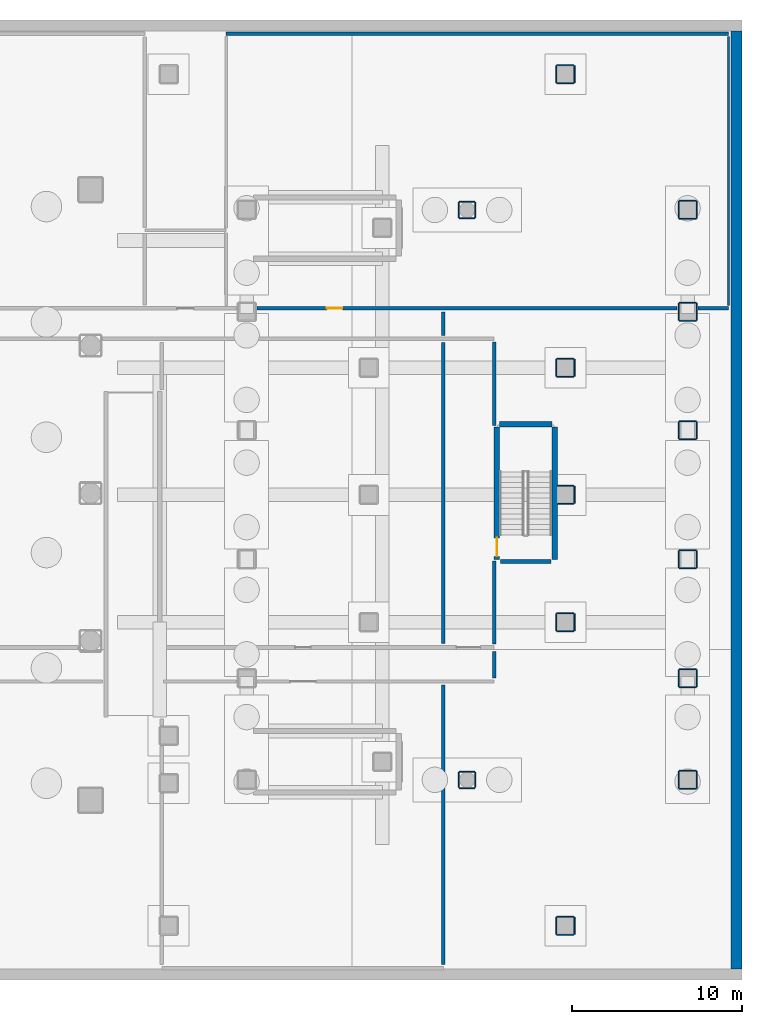
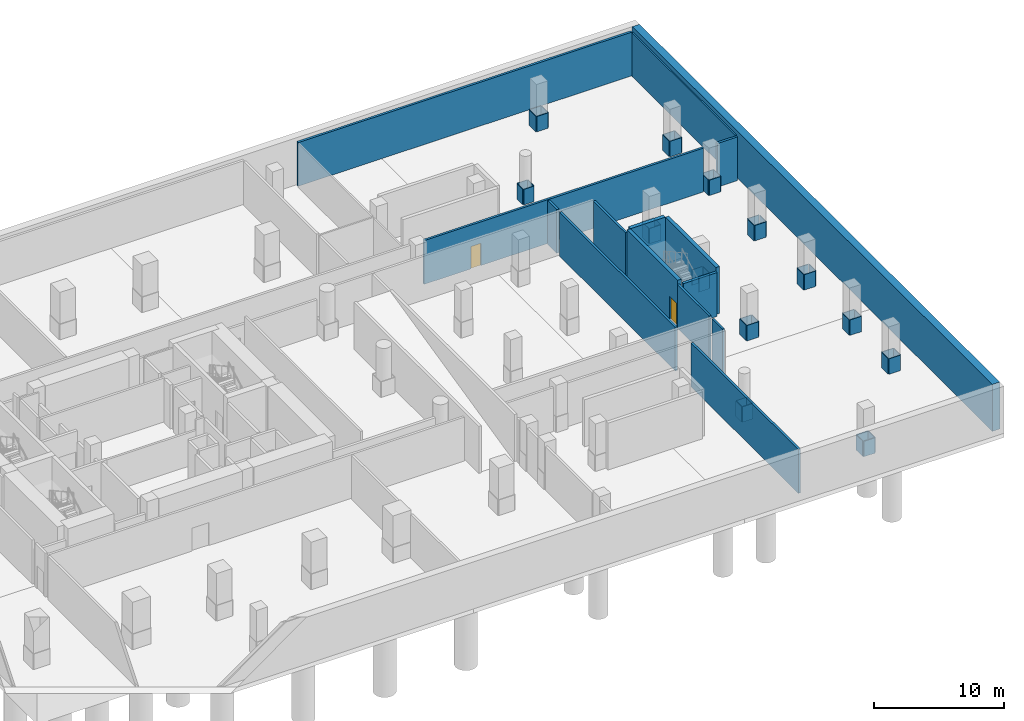
# One storey, part 9 of 13: 66 walls, 2 doors, 2 openings.
"""IFC4 building model written with IfcOpenShell, lengths in metres."""

from ifc_helpers import new_model, si_unit, direction, frame, frame_2d, origin, place, context, subcontext, project, spatial, rectangle, extrude, material, layer, layer_set, type_object, element, fill, save


model = new_model("IFC4")

# Units and contexts
model_context = context("Model", 3, precision=1e-05, world=origin(), true_north=direction((0.0, 1.0)))
body_context = subcontext(model_context, "Body", "Model", "MODEL_VIEW")
ifc_project = project(units=[si_unit("LENGTHUNIT", "METRE"), si_unit("AREAUNIT", "SQUARE_METRE"), si_unit("VOLUMEUNIT", "CUBIC_METRE"), si_unit("PLANEANGLEUNIT", "RADIAN"), si_unit("MASSUNIT", "GRAM", prefix="KILO")], contexts=[model_context])

# Site, building, storey
site_placement = place(None, origin())
site = spatial("IfcSite", under=ifc_project, at=site_placement, CompositionType="ELEMENT")
building_placement = place(site_placement, origin())
building = spatial("IfcBuilding", under=site, at=building_placement, Name="Solanera Arch Residences", CompositionType="ELEMENT")
storey_placement = place(building_placement, frame((0.0, 0.0, -13.199951171875)))
storey = spatial("IfcBuildingStorey", under=building, at=storey_placement, Name="B03", CompositionType="ELEMENT", Elevation=-13.199951171875)

# Walls
ifc_material_1 = material(Name="Fire-Rated Gypsum Stud Partition", Category="gypsum")
ifc_layer_1 = layer(ifc_material_1, 0.06005859375)
ifc_layer_set_1 = layer_set([ifc_layer_1], Name="Fire-Rated Gypsum Stud Partition")
wall_type_1 = type_object("IfcWallType", Name="Column Acoustic Furring Wall 60", PredefinedType="PARTITIONING", material=ifc_layer_set_1)
for number, where, z_axis, x_axis, name in (
    (1, (74.10009765625, 22.568115234375, 0.0), (0.0, 0.0, 1.0), (1.0, 0.0, 0.0), "B03 Column Furring 28S"),
    (2, (74.10009765625, 23.632080078125, 0.0), (0.0, 0.0, 1.0), (1.0, 0.0, 0.0), "B03 Column Furring 28N"),
    (3, (74.068115234375, 22.60009765625, 0.0), (0.0, 0.0, 1.0), (0.0, 1.0, 0.0), "B03 Column Furring 28W"),
    (4, (75.132080078125, 22.60009765625, 0.0), (0.0, 0.0, 1.0), (0.0, 1.0, 0.0), "B03 Column Furring 28E"),
):
    element("IfcWall", number, at=place(storey_placement, frame(where, z_axis=z_axis, x_axis=x_axis)), inside=storey, type_object=wall_type_1, Name=name, PredefinedType="PARTITIONING", context=body_context, shape_type="SweptSolid", body=[
        extrude(rectangle(XDim=1.0, YDim=0.06005859375, at=frame_2d((0.5, 0.0))), origin(), (0.0, 0.0, 1.0), 1.449951171875),
    ])
for number, where, z_axis, x_axis, name in (
    (5, (74.135009765625, 30.068115234375, 0.0), (0.0, 0.0, 1.0), (1.0, 0.0, 0.0), "B03 Column Furring 30S"),
    (6, (74.135009765625, 31.132080078125, 0.0), (0.0, 0.0, 1.0), (1.0, 0.0, 0.0), "B03 Column Furring 30N"),
):
    element("IfcWall", number, at=place(storey_placement, frame(where, z_axis=z_axis, x_axis=x_axis)), inside=storey, type_object=wall_type_1, Name=name, PredefinedType="PARTITIONING", context=body_context, shape_type="SweptSolid", body=[
        extrude(rectangle(XDim=0.965087890625, YDim=0.06005859375, at=frame_2d((0.482421875, 0.0))), origin(), (0.0, 0.0, 1.0), 1.449951171875),
    ])
for number, where, z_axis, x_axis, name in (
    (7, (75.132080078125, 30.10009765625, 0.0), (0.0, 0.0, 1.0), (0.0, 1.0, 0.0), "B03 Column Furring 30E"),
    (8, (74.10009765625, 37.568115234375, 0.0), (0.0, 0.0, 1.0), (1.0, 0.0, 0.0), "B03 Column Furring 32S"),
    (9, (74.10009765625, 38.632080078125, 0.0), (0.0, 0.0, 1.0), (1.0, 0.0, 0.0), "B03 Column Furring 32N"),
    (10, (74.068115234375, 37.60009765625, 0.0), (0.0, 0.0, 1.0), (0.0, 1.0, 0.0), "B03 Column Furring 32W"),
    (11, (75.132080078125, 37.60009765625, 0.0), (0.0, 0.0, 1.0), (0.0, 1.0, 0.0), "B03 Column Furring 32E"),
    (12, (74.10009765625, 4.66796875, 0.0), (0.0, 0.0, 1.0), (1.0, 0.0, 0.0), "B03 Column Furring 37S"),
    (13, (74.10009765625, 5.73193359375, 0.0), (0.0, 0.0, 1.0), (1.0, 0.0, 0.0), "B03 Column Furring 37N"),
    (14, (74.068115234375, 4.699951171875, 0.0), (0.0, 0.0, 1.0), (0.0, 1.0, 0.0), "B03 Column Furring 37W"),
    (15, (75.132080078125, 4.699951171875, 0.0), (0.0, 0.0, 1.0), (0.0, 1.0, 0.0), "B03 Column Furring 37E"),
    (16, (74.10009765625, 54.867919921875, 0.0), (0.0, 0.0, 1.0), (1.0, 0.0, 0.0), "B03 Column Furring 40S"),
    (17, (74.10009765625, 55.931884765625, 0.0), (0.0, 0.0, 1.0), (1.0, 0.0, 0.0), "B03 Column Furring 40N"),
    (18, (74.068115234375, 54.89990234375, 0.0), (0.0, 0.0, 1.0), (0.0, 1.0, 0.0), "B03 Column Furring 40W"),
    (19, (75.132080078125, 54.89990234375, 0.0), (0.0, 0.0, 1.0), (0.0, 1.0, 0.0), "B03 Column Furring 40E"),
    (20, (81.300048828125, 13.26806640625, 0.0), (0.0, 0.0, 1.0), (1.0, 0.0, 0.0), "B03 Column Furring 49S"),
    (21, (81.300048828125, 14.33203125, 0.0), (0.0, 0.0, 1.0), (1.0, 0.0, 0.0), "B03 Column Furring 49N"),
    (22, (81.26806640625, 13.300048828125, 0.0), (0.0, 0.0, 1.0), (0.0, 1.0, 0.0), "B03 Column Furring 49W"),
    (23, (82.33203125, 13.300048828125, 0.0), (0.0, 0.0, 1.0), (0.0, 1.0, 0.0), "B03 Column Furring 49E"),
    (24, (81.300048828125, 19.26806640625, 0.0), (0.0, 0.0, 1.0), (1.0, 0.0, 0.0), "B03 Column Furring 50S"),
    (25, (81.300048828125, 20.33203125, 0.0), (0.0, 0.0, 1.0), (1.0, 0.0, 0.0), "B03 Column Furring 50N"),
    (26, (81.26806640625, 19.300048828125, 0.0), (0.0, 0.0, 1.0), (0.0, 1.0, 0.0), "B03 Column Furring 50W"),
    (27, (82.33203125, 19.300048828125, 0.0), (0.0, 0.0, 1.0), (0.0, 1.0, 0.0), "B03 Column Furring 50E"),
    (28, (81.300048828125, 26.26806640625, 0.0), (0.0, 0.0, 1.0), (1.0, 0.0, 0.0), "B03 Column Furring 51S"),
    (29, (81.300048828125, 27.33203125, 0.0), (0.0, 0.0, 1.0), (1.0, 0.0, 0.0), "B03 Column Furring 51N"),
    (30, (81.26806640625, 26.300048828125, 0.0), (0.0, 0.0, 1.0), (0.0, 1.0, 0.0), "B03 Column Furring 51W"),
    (31, (82.33203125, 26.300048828125, 0.0), (0.0, 0.0, 1.0), (0.0, 1.0, 0.0), "B03 Column Furring 51E"),
    (32, (81.300048828125, 33.867919921875, 0.0), (0.0, 0.0, 1.0), (1.0, 0.0, 0.0), "B03 Column Furring 52S"),
    (33, (81.300048828125, 34.931884765625, 0.0), (0.0, 0.0, 1.0), (1.0, 0.0, 0.0), "B03 Column Furring 52N"),
    (34, (81.26806640625, 33.89990234375, 0.0), (0.0, 0.0, 1.0), (0.0, 1.0, 0.0), "B03 Column Furring 52W"),
    (35, (82.33203125, 33.89990234375, 0.0), (0.0, 0.0, 1.0), (0.0, 1.0, 0.0), "B03 Column Furring 52E"),
    (36, (81.300048828125, 40.867919921875, 0.0), (0.0, 0.0, 1.0), (1.0, 0.0, 0.0), "B03 Column Furring 53S"),
    (37, (81.300048828125, 41.931884765625, 0.0), (0.0, 0.0, 1.0), (1.0, 0.0, 0.0), "B03 Column Furring 53N"),
    (38, (81.26806640625, 40.89990234375, 0.0), (0.0, 0.0, 1.0), (0.0, 1.0, 0.0), "B03 Column Furring 53W"),
    (39, (82.33203125, 40.89990234375, 0.0), (0.0, 0.0, 1.0), (0.0, 1.0, 0.0), "B03 Column Furring 53E"),
    (40, (81.300048828125, 46.867919921875, 0.0), (0.0, 0.0, 1.0), (1.0, 0.0, 0.0), "B03 Column Furring 54S"),
    (41, (81.300048828125, 47.931884765625, 0.0), (0.0, 0.0, 1.0), (1.0, 0.0, 0.0), "B03 Column Furring 54N"),
    (42, (81.26806640625, 46.89990234375, 0.0), (0.0, 0.0, 1.0), (0.0, 1.0, 0.0), "B03 Column Furring 54W"),
    (43, (82.33203125, 46.89990234375, 0.0), (0.0, 0.0, 1.0), (0.0, 1.0, 0.0), "B03 Column Furring 54E"),
):
    element("IfcWall", number, at=place(storey_placement, frame(where, z_axis=z_axis, x_axis=x_axis)), inside=storey, type_object=wall_type_1, Name=name, PredefinedType="PARTITIONING", context=body_context, shape_type="SweptSolid", body=[
        extrude(rectangle(XDim=1.0, YDim=0.06005859375, at=frame_2d((0.5, 0.0))), origin(), (0.0, 0.0, 1.0), 1.449951171875),
    ])
for number, where, z_axis, x_axis, name in (
    (44, (68.35009765625, 13.318115234375, 0.0), (0.0, 0.0, 1.0), (1.0, 0.0, 0.0), "B03 Column Furring 55S"),
    (45, (68.35009765625, 14.281982421875, 0.0), (0.0, 0.0, 1.0), (1.0, 0.0, 0.0), "B03 Column Furring 55N"),
    (46, (68.318115234375, 13.35009765625, 0.0), (0.0, 0.0, 1.0), (0.0, 1.0, 0.0), "B03 Column Furring 55W"),
    (47, (69.281982421875, 13.35009765625, 0.0), (0.0, 0.0, 1.0), (0.0, 1.0, 0.0), "B03 Column Furring 55E"),
    (48, (68.35009765625, 46.91796875, 0.0), (0.0, 0.0, 1.0), (1.0, 0.0, 0.0), "B03 Column Furring 56S"),
    (49, (68.35009765625, 47.882080078125, 0.0), (0.0, 0.0, 1.0), (1.0, 0.0, 0.0), "B03 Column Furring 56N"),
):
    element("IfcWall", number, at=place(storey_placement, frame(where, z_axis=z_axis, x_axis=x_axis)), inside=storey, type_object=wall_type_1, Name=name, PredefinedType="PARTITIONING", context=body_context, shape_type="SweptSolid", body=[
        extrude(rectangle(XDim=0.89990234375, YDim=0.06005859375, at=frame_2d((0.449951171875, 0.0))), origin(), (0.0, 0.0, 1.0), 1.449951171875),
    ])
for number, where, z_axis, x_axis, name in (
    (50, (68.318115234375, 46.949951171875, 0.0), (0.0, 0.0, 1.0), (0.0, 1.0, 0.0), "B03 Column Furring 56W"),
    (51, (69.281982421875, 46.949951171875, 0.0), (0.0, 0.0, 1.0), (0.0, 1.0, 0.0), "B03 Column Furring 56E"),
):
    element("IfcWall", number, at=place(storey_placement, frame(where, z_axis=z_axis, x_axis=x_axis)), inside=storey, type_object=wall_type_1, Name=name, PredefinedType="PARTITIONING", context=body_context, shape_type="SweptSolid", body=[
        extrude(rectangle(XDim=0.900146484375, YDim=0.06005859375, at=frame_2d((0.4501953125, 0.0))), origin(), (0.0, 0.0, 1.0), 1.449951171875),
    ])
ifc_material_2 = material(Name="Concrete C40/50 (f'c = 45 MPa)", Category="concrete")
ifc_layer_2 = layer(ifc_material_2, 0.320068359375)
ifc_layer_set_2 = layer_set([ifc_layer_2], Name="Concrete C40/50 (f'c = 45 MPa)")
wall_type_2 = type_object("IfcWallType", Name="Core Shear Wall CW-320", PredefinedType="SHEAR", material=ifc_layer_set_2)
wall_1_placement = place(storey_placement, frame((70.719970703125, 34.760009765625, 0.0), z_axis=(0.0, 0.0, 1.0), x_axis=(1.0, 0.0, 0.0)))
element("IfcWall", 52, at=wall_1_placement, inside=storey, type_object=wall_type_2, Name="B03 Stair ST-B1 North Shear Wall", PredefinedType="SHEAR", context=body_context, shape_type="SweptSolid", body=[
    extrude(rectangle(XDim=3.080078125, YDim=0.320068359375, at=frame_2d((1.5400390625, 0.0))), origin(), (0.0, 0.0, 1.0), 4.39990234375),
])
wall_2_placement = place(storey_placement, frame((73.9599609375, 26.800048828125, 0.0), z_axis=(0.0, 0.0, 1.0), x_axis=(0.0, 1.0, 0.0)))
element("IfcWall", 53, at=wall_2_placement, inside=storey, type_object=wall_type_2, Name="B03 Stair ST-B1 East Shear Wall", PredefinedType="SHEAR", context=body_context, shape_type="SweptSolid", body=[
    extrude(rectangle(XDim=7.800048828125, YDim=0.320068359375, at=frame_2d((3.89990234375, 0.0))), origin(), (0.0, 0.0, 1.0), 4.39990234375),
])

# Wall, opening, door
wall_3_placement = place(storey_placement, frame((70.56005859375, 26.800048828125, 0.0), z_axis=(0.0, 0.0, 1.0), x_axis=(0.0, 1.0, 0.0)))
wall_3 = element("IfcWall", 54, at=wall_3_placement, inside=storey, type_object=wall_type_2, Name="B03 Stair ST-B1 West Shear Wall", PredefinedType="SHEAR", context=body_context, shape_type="SweptSolid", body=[
    extrude(rectangle(XDim=7.800048828125, YDim=0.320068359375, at=frame_2d((3.89990234375, 0.0))), origin(), (0.0, 0.0, 1.0), 4.39990234375),
])
opening_1_placement = place(wall_3_placement, frame((0.169921875, 0.0, 0.0)))
opening_1 = element("IfcOpeningElement", 55, at=opening_1_placement, cuts=wall_3, Name="Opening DF-01", PredefinedType="OPENING", context=body_context, shape_type="SweptSolid", body=[
    extrude(rectangle(XDim=1.10009765625, YDim=2.14990234375, at=frame_2d((0.550048828125, 1.074951171875))), frame((0.0, 0.169921875, 0.0), z_axis=(0.0, -1.0, 0.0), x_axis=(1.0, 0.0, 0.0)), (0.0, 0.0, 1.0), 0.3401),
])
ifc_material_3 = material(Name="Fire-Rated Architectural Hardwood", Category="wood")
door_type_1 = type_object("IfcDoorType", Name="Stair Exit Fire Door DF-01", OperationType="NOTDEFINED", PredefinedType="DOOR", material=ifc_material_3)
door_1_placement = place(opening_1_placement, origin())
door_1 = element("IfcDoor", 56, at=door_1_placement, inside=storey, type_object=door_type_1, Name="DR-B03-STAIR-ST-B1", OperationType="SINGLE_SWING_LEFT", OverallHeight=2.14990234375, OverallWidth=1.10009765625, PredefinedType="DOOR", context=body_context, shape_type="SweptSolid", body=[
    extrude(rectangle(XDim=1.10009765625, YDim=2.14990234375, at=frame_2d((0.550048828125, 1.074951171875))), frame((0.0, 0.02490234375, 0.0), z_axis=(0.0, -1.0, 0.0), x_axis=(1.0, 0.0, 0.0)), (0.0, 0.0, 1.0), 0.050048828125),
])
fill(opening_1, door_1)

# Walls
ifc_material_4 = material(Name="Autoclaved Aerated Concrete Blockwork", Category="masonry")
ifc_layer_3 = layer(ifc_material_4, 0.179931640625)
ifc_layer_set_3 = layer_set([ifc_layer_3], Name="Autoclaved Aerated Concrete Blockwork")
wall_type_3 = type_object("IfcWallType", Name="Corridor Fire Partition 180", PredefinedType="PARTITIONING", material=ifc_layer_set_3)
wall_4_placement = place(storey_placement, frame((70.39990234375, 19.798095703125, 0.0), z_axis=(0.0, 0.0, 1.0), x_axis=(0.0, 1.0, 0.0)))
element("IfcWall", 57, at=wall_4_placement, inside=storey, type_object=wall_type_3, Name="B03 Interior Partition V20 1", PredefinedType="PARTITIONING", context=body_context, shape_type="SweptSolid", body=[
    extrude(rectangle(XDim=1.583984375, YDim=0.179931640625, at=frame_2d((0.7919921875, 0.0))), origin(), (0.0, 0.0, 1.0), 4.099853515625),
])
wall_5_placement = place(storey_placement, frame((70.39990234375, 21.818115234375, 0.0), z_axis=(0.0, 0.0, 1.0), x_axis=(0.0, 1.0, 0.0)))
element("IfcWall", 58, at=wall_5_placement, inside=storey, type_object=wall_type_3, Name="B03 Interior Partition V20 2", PredefinedType="PARTITIONING", context=body_context, shape_type="SweptSolid", body=[
    extrude(rectangle(XDim=4.8818359375, YDim=0.179931640625, at=frame_2d((2.44091796875, 0.0))), origin(), (0.0, 0.0, 1.0), 4.099853515625),
])
wall_6_placement = place(storey_placement, frame((70.39990234375, 34.699951171875, 0.0), z_axis=(0.0, 0.0, 1.0), x_axis=(0.0, 1.0, 0.0)))
element("IfcWall", 59, at=wall_6_placement, inside=storey, type_object=wall_type_3, Name="B03 Interior Partition V20 3", PredefinedType="PARTITIONING", context=body_context, shape_type="SweptSolid", body=[
    extrude(rectangle(XDim=4.902099609375, YDim=0.179931640625, at=frame_2d((2.451171875, 0.0))), origin(), (0.0, 0.0, 1.0), 4.099853515625),
])

# Wall, opening, door
ifc_material_5 = material(Name="Autoclaved Aerated Concrete Blockwork", Category="masonry")
ifc_layer_4 = layer(ifc_material_5, 0.199951171875)
ifc_layer_set_4 = layer_set([ifc_layer_4], Name="Autoclaved Aerated Concrete Blockwork")
wall_type_4 = type_object("IfcWallType", Name="Party Wall Acoustic 200", PredefinedType="PARTITIONING", material=ifc_layer_set_4)
wall_7_placement = place(storey_placement, frame((56.412109375, 41.60009765625, 0.0), z_axis=(0.0, 0.0, 1.0), x_axis=(1.0, 0.0, 0.0)))
wall_7 = element("IfcWall", 60, at=wall_7_placement, inside=storey, type_object=wall_type_4, Name="B03 Interior Partition H13 2", PredefinedType="PARTITIONING", context=body_context, shape_type="SweptSolid", body=[
    extrude(rectangle(XDim=24.77587890625, YDim=0.199951171875, at=frame_2d((12.387939453125, 0.0))), origin(), (0.0, 0.0, 1.0), 4.099853515625),
])
opening_2_placement = place(wall_7_placement, frame((4.1279296875, 0.0, 0.0)))
opening_2 = element("IfcOpeningElement", 61, at=opening_2_placement, cuts=wall_7, Name="Opening DI-02", PredefinedType="OPENING", context=body_context, shape_type="SweptSolid", body=[
    extrude(rectangle(XDim=0.89990234375, YDim=2.10009765625, at=frame_2d((0.449951171875, 1.050048828125))), frame((0.0, 0.110107421875, 0.0), z_axis=(0.0, -1.0, 0.0), x_axis=(1.0, 0.0, 0.0)), (0.0, 0.0, 1.0), 0.22),
])
ifc_material_6 = material(Name="Fire-Rated Architectural Hardwood", Category="wood")
door_type_2 = type_object("IfcDoorType", Name="Suite Room Swing Door DI-02", OperationType="NOTDEFINED", PredefinedType="DOOR", material=ifc_material_6)
door_2_placement = place(opening_2_placement, origin())
door_2 = element("IfcDoor", 62, at=door_2_placement, inside=storey, type_object=door_type_2, Name="DR-B03-IN-026", OperationType="SINGLE_SWING_LEFT", OverallHeight=2.10009765625, OverallWidth=0.89990234375, PredefinedType="DOOR", context=body_context, shape_type="SweptSolid", body=[
    extrude(rectangle(XDim=0.89990234375, YDim=2.10009765625, at=frame_2d((0.449951171875, 1.050048828125))), frame((0.0, 0.02490234375, 0.0), z_axis=(0.0, -1.0, 0.0), x_axis=(1.0, 0.0, 0.0)), (0.0, 0.0, 1.0), 0.050048828125),
])
fill(opening_2, door_2)

# Walls
wall_8_placement = place(storey_placement, frame((82.412109375, 41.60009765625, 0.0), z_axis=(0.0, 0.0, 1.0), x_axis=(1.0, 0.0, 0.0)))
element("IfcWall", 63, at=wall_8_placement, inside=storey, type_object=wall_type_4, Name="B03 Interior Partition H13 3", PredefinedType="PARTITIONING", context=body_context, shape_type="SweptSolid", body=[
    extrude(rectangle(XDim=1.787841796875, YDim=0.199951171875, at=frame_2d((0.89404296875, 0.0))), origin(), (0.0, 0.0, 1.0), 4.099853515625),
])
wall_9_placement = place(storey_placement, frame((54.60009765625, 57.800048828125, 0.0), z_axis=(0.0, 0.0, 1.0), x_axis=(1.0, 0.0, 0.0)))
element("IfcWall", 64, at=wall_9_placement, inside=storey, type_object=wall_type_4, Name="B03 Interior Partition H15", PredefinedType="PARTITIONING", context=body_context, shape_type="SweptSolid", body=[
    extrude(rectangle(XDim=29.599853515625, YDim=0.199951171875, at=frame_2d((14.7998046875, 0.0))), origin(), (0.0, 0.0, 1.0), 4.099853515625),
])
wall_10_placement = place(storey_placement, frame((67.39990234375, 2.907958984375, 0.0), z_axis=(0.0, 0.0, 1.0), x_axis=(0.0, 1.0, 0.0)))
element("IfcWall", 65, at=wall_10_placement, inside=storey, type_object=wall_type_4, Name="B03 Interior Partition V15", PredefinedType="PARTITIONING", context=body_context, shape_type="SweptSolid", body=[
    extrude(rectangle(XDim=16.484130859375, YDim=0.199951171875, at=frame_2d((8.2421875, 0.0))), origin(), (0.0, 0.0, 1.0), 4.099853515625),
])
wall_11_placement = place(storey_placement, frame((67.39990234375, 21.827880859375, 0.0), z_axis=(0.0, 0.0, 1.0), x_axis=(0.0, 1.0, 0.0)))
element("IfcWall", 66, at=wall_11_placement, inside=storey, type_object=wall_type_4, Name="B03 Interior Partition V16 1", PredefinedType="PARTITIONING", context=body_context, shape_type="SweptSolid", body=[
    extrude(rectangle(XDim=17.76416015625, YDim=0.199951171875, at=frame_2d((8.882080078125, 0.0))), origin(), (0.0, 0.0, 1.0), 4.099853515625),
])
wall_12_placement = place(storey_placement, frame((67.39990234375, 40.008056640625, 0.0), z_axis=(0.0, 0.0, 1.0), x_axis=(0.0, 1.0, 0.0)))
element("IfcWall", 67, at=wall_12_placement, inside=storey, type_object=wall_type_4, Name="B03 Interior Partition V16 2", PredefinedType="PARTITIONING", context=body_context, shape_type="SweptSolid", body=[
    extrude(rectangle(XDim=1.384033203125, YDim=0.199951171875, at=frame_2d((0.69189453125, 0.0))), origin(), (0.0, 0.0, 1.0), 4.099853515625),
])
ifc_material_7 = material(Name="Autoclaved Aerated Concrete Blockwork", Category="masonry")
ifc_layer_5 = layer(ifc_material_7, 0.239990234375)
ifc_layer_set_5 = layer_set([ifc_layer_5], Name="Autoclaved Aerated Concrete Blockwork")
wall_type_5 = type_object("IfcWallType", Name="Shaft Wall Fire-Rated 240", PredefinedType="PARTITIONING", material=ifc_layer_set_5)
wall_13_placement = place(storey_placement, frame((70.77001953125, 26.679931640625, 0.0), z_axis=(0.0, 0.0, 1.0), x_axis=(1.0, 0.0, 0.0)))
element("IfcWall", 68, at=wall_13_placement, inside=storey, type_object=wall_type_5, Name="B03 Stair ST-B1 South Wall", PredefinedType="PARTITIONING", context=body_context, shape_type="SweptSolid", body=[
    extrude(rectangle(XDim=2.97998046875, YDim=0.239990234375, at=frame_2d((1.489990234375, 0.0))), origin(), (0.0, 0.0, 1.0), 4.099853515625),
])
ifc_material_8 = material(Name="Concrete C40/50 (f'c = 45 MPa)", Category="concrete")
ifc_layer_6 = layer(ifc_material_8, 0.64990234375)
ifc_layer_set_6 = layer_set([ifc_layer_6], Name="Concrete C40/50 (f'c = 45 MPa)")
wall_type_6 = type_object("IfcWallType", Name="Solid Exterior Wall Substructure 650", PredefinedType="SOLIDWALL", material=ifc_layer_set_6)
wall_14_placement = place(storey_placement, frame((84.675048828125, 2.64990234375, 0.0), z_axis=(0.0, 0.0, 1.0), x_axis=(0.0, 1.0, 0.0)))
element("IfcWall", 69, at=wall_14_placement, inside=storey, type_object=wall_type_6, Name="B03 East Basement Retaining Wall", PredefinedType="SOLIDWALL", context=body_context, shape_type="SweptSolid", body=[
    extrude(rectangle(XDim=55.300048828125, YDim=0.64990234375, at=frame_2d((27.64990234375, 0.0))), origin(), (0.0, 0.0, 1.0), 4.39990234375),
])
ifc_material_9 = material(Name="Fire-Rated Gypsum Stud Partition", Category="gypsum")
ifc_layer_7 = layer(ifc_material_9, 0.1201171875)
ifc_layer_set_7 = layer_set([ifc_layer_7], Name="Fire-Rated Gypsum Stud Partition")
wall_type_7 = type_object("IfcWallType", Name="Unit Drywall Partition 120", PredefinedType="PARTITIONING", material=ifc_layer_set_7)
wall_15_placement = place(storey_placement, frame((84.199951171875, 41.76806640625, 0.0), z_axis=(0.0, 0.0, 1.0), x_axis=(0.0, 1.0, 0.0)))
element("IfcWall", 70, at=wall_15_placement, inside=storey, type_object=wall_type_7, Name="B03 Interior Partition V22", PredefinedType="PARTITIONING", context=body_context, shape_type="SweptSolid", body=[
    extrude(rectangle(XDim=15.864013671875, YDim=0.1201171875, at=frame_2d((7.93212890625, 0.0))), origin(), (0.0, 0.0, 1.0), 4.099853515625),
])

save(model, "model.ifc")
